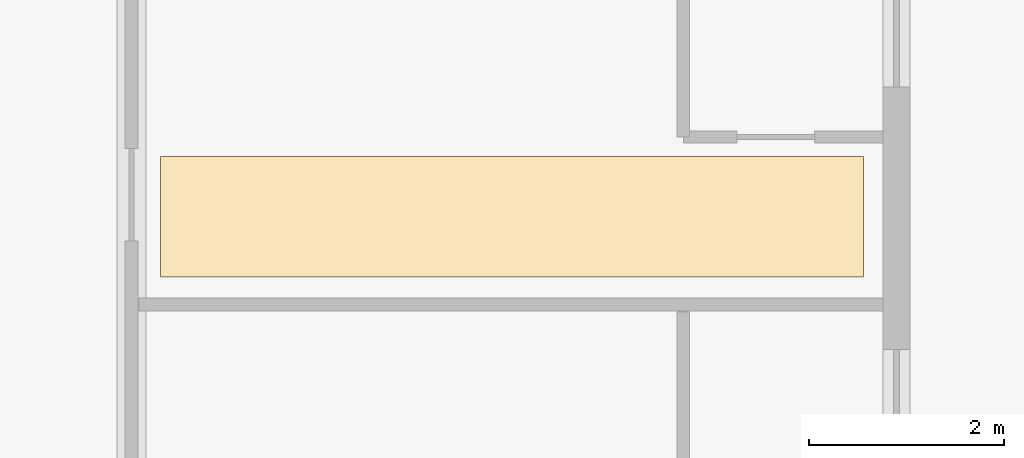
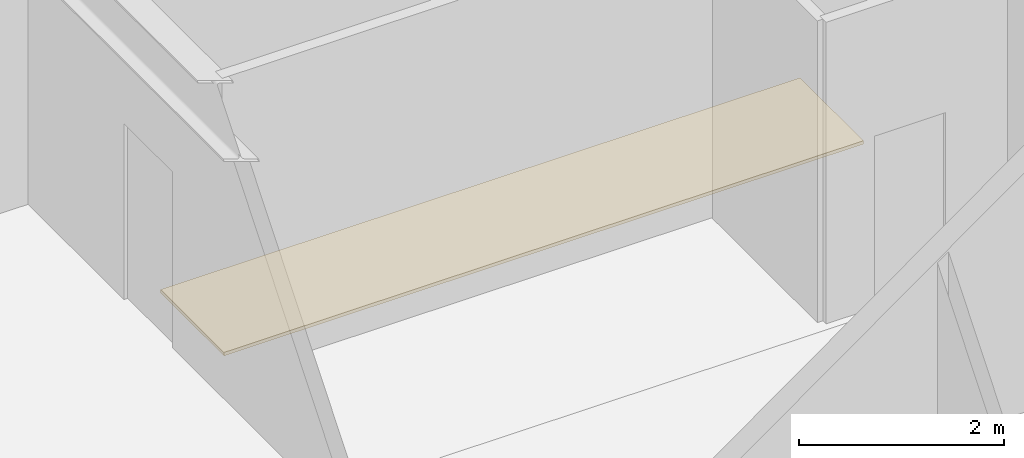
# One storey, part 12 of 13: 1 covering.
"""IFC4 building model written with IfcOpenShell, lengths in metres."""

import ifcopenshell
import ifcopenshell.guid

model = None  # the IFC model being written
_history = None  # IfcOwnerHistory: only IFC2X3 demands one
_inside = {}  # id of a spatial element -> (the spatial element, [elements in it])
_under = {}  # id of a project, library or spatial element -> (it, [spatial elements below it])
_declared = {}  # id of a project -> (the project, [libraries it declares])
_typed = {}  # id of a type object -> (the type object, [elements of that type])
_made_of = {}  # id of a material, layer set ... -> (it, [elements and type objects made of it])


def new_model(schema):
    """Start an empty IFC model of exactly this schema.

    Asked for "IFC4X3", IfcOpenShell would pick the latest addendum, in which some entities
    have other attributes; the version numbers below select the first issue.
    IFC2X3 requires an IfcOwnerHistory on every rooted entity: one is made here for all.
    """
    global model, _history
    if schema == "IFC4X3":
        model = ifcopenshell.file(schema_version=(4, 3, 0, 0))
    else:
        model = ifcopenshell.file(schema=schema)
    _inside.clear()
    _under.clear()
    _declared.clear()
    _typed.clear()
    _made_of.clear()
    _history = None
    if model.schema == "IFC2X3":
        org = make("IfcOrganization", Name="unknown")
        user = make(
            "IfcPersonAndOrganization",
            ThePerson=make("IfcPerson", FamilyName="unknown"),
            TheOrganization=org,
        )
        app = make(
            "IfcApplication",
            ApplicationDeveloper=org,
            Version="unknown",
            ApplicationFullName="unknown",
            ApplicationIdentifier="unknown",
        )
        _history = make(
            "IfcOwnerHistory",
            OwningUser=user,
            OwningApplication=app,
            ChangeAction="ADDED",
            CreationDate=0,
        )
    return model


def make(cls, **values):
    """One entity of the class cls with the attributes given. An attribute that is None is left unset."""
    return model.create_entity(
        cls, **{name: value for name, value in values.items() if value is not None}
    )


def rooted(cls, **values):
    """An entity with a GlobalId (a new one), such as an element, a storey or a relation."""
    return make(cls, GlobalId=ifcopenshell.guid.new(), OwnerHistory=_history, **values)


def si_unit(unit_type, name, prefix=None):
    """IfcSIUnit, for example si_unit("LENGTHUNIT", "METRE", prefix="MILLI")."""
    return make("IfcSIUnit", UnitType=unit_type, Prefix=prefix, Name=name)


def assignment(units):
    """IfcUnitAssignment: the units of a project."""
    return None if units is None else make("IfcUnitAssignment", Units=units)


def point(xyz):
    """IfcCartesianPoint."""
    return None if xyz is None else make("IfcCartesianPoint", Coordinates=xyz)


def direction(xyz):
    """IfcDirection."""
    return None if xyz is None else make("IfcDirection", DirectionRatios=xyz)


def frame(location, z_axis=None, x_axis=None):
    """IfcAxis2Placement3D, a coordinate frame: its origin and axes. An axis left out is left unset."""
    return make(
        "IfcAxis2Placement3D",
        Location=point(location),
        Axis=direction(z_axis),
        RefDirection=direction(x_axis),
    )


def origin():
    """The frame at (0, 0, 0) with its axes left unset."""
    return frame((0.0, 0.0, 0.0))


def place(relative_to, where):
    """IfcLocalPlacement: puts the frame where relative to a parent placement (None: the world)."""
    return make(
        "IfcLocalPlacement", PlacementRelTo=relative_to, RelativePlacement=where
    )


def context(
    kind, dimensions, precision=None, world=None, true_north=None, identifier=None
):
    """IfcGeometricRepresentationContext, for example the 3D "Model" context."""
    return make(
        "IfcGeometricRepresentationContext",
        ContextIdentifier=identifier,
        ContextType=kind,
        CoordinateSpaceDimension=dimensions,
        Precision=precision,
        WorldCoordinateSystem=world,
        TrueNorth=true_north,
    )


def subcontext(parent, identifier, kind, view, scale=None):
    """IfcGeometricRepresentationSubContext, for example "Body" below "Model"."""
    return make(
        "IfcGeometricRepresentationSubContext",
        ContextIdentifier=identifier,
        ContextType=kind,
        ParentContext=parent,
        TargetScale=scale,
        TargetView=view,
    )


def project(units=None, contexts=None):
    """IfcProject with its units and contexts."""
    return rooted(
        "IfcProject",
        Name="project",
        RepresentationContexts=contexts,
        UnitsInContext=assignment(units),
    )


def spatial(cls, under=None, at=None, **own):
    """A site, building, storey or space (cls), placed at a placement, below another one or the project."""
    s = rooted(cls, ObjectPlacement=at, **own)
    if under is not None:
        _under.setdefault(under.id(), (under, []))[1].append(s)
    return s


def polyline(points):
    """IfcPolyline through the points."""
    return make("IfcPolyline", Points=[point(p) for p in points])


def outline(outer, holes=None, kind="AREA"):
    """IfcArbitraryClosedProfileDef: a profile drawn as a closed curve; with holes, ...WithVoids."""
    if holes is None:
        return make("IfcArbitraryClosedProfileDef", ProfileType=kind, OuterCurve=outer)
    return make(
        "IfcArbitraryProfileDefWithVoids",
        ProfileType=kind,
        OuterCurve=outer,
        InnerCurves=holes,
    )


def extrude(swept, where, along, depth):
    """IfcExtrudedAreaSolid: the profile swept, set in the frame where, extruded along a direction by depth."""
    return make(
        "IfcExtrudedAreaSolid",
        SweptArea=swept,
        Position=where,
        ExtrudedDirection=direction(along),
        Depth=depth,
    )


def shape(context_of_items, identifier, shape_type, items):
    """IfcShapeRepresentation: the items that make up one representation, for example the "Body"."""
    return make(
        "IfcShapeRepresentation",
        ContextOfItems=context_of_items,
        RepresentationIdentifier=identifier,
        RepresentationType=shape_type,
        Items=items,
    )


def material(Name=None, Category=None):
    """IfcMaterial."""
    return make("IfcMaterial", Name=Name, Category=Category)


def layer(
    of_material, thickness, ventilated=None, Name=None, Category=None, Priority=None
):
    """IfcMaterialLayer: one layer of a wall or slab, of a material (None: an air gap)."""
    return make(
        "IfcMaterialLayer",
        Material=of_material,
        LayerThickness=thickness,
        IsVentilated=ventilated,
        Name=Name,
        Category=Category,
        Priority=Priority,
    )


def layer_set(layers, Name=None):
    """IfcMaterialLayerSet."""
    return make("IfcMaterialLayerSet", MaterialLayers=layers, LayerSetName=Name)


def made_of(thing, what):
    """Note that an element or type object is made of a material, layer set ...; save() writes the relation."""
    if what is not None:
        _made_of.setdefault(what.id(), (what, []))[1].append(thing)
    return thing


def type_object(cls, material=None, **own):
    """A type object (cls), such as IfcWallType, which elements share."""
    return made_of(rooted(cls, **own), material)


def element(
    cls,
    number,
    at=None,
    inside=None,
    cuts=None,
    type_object=None,
    material=None,
    context=None,
    identifier="Body",
    shape_type=None,
    held_by="IfcProductDefinitionShape",
    body=None,
    shapes=None,
    **own,
):
    """One element of the class cls, such as IfcWall. Its Tag is "e" and its number.

    at: its placement. inside: the storey or other place that contains it. cuts: it is an
    opening in that element (IfcRelVoidsElement). A single representation is given by context,
    identifier, shape_type and body (its items); several are given by shapes. held_by: the class
    of the entity that holds the representations. save() writes the other relations.
    """
    e = rooted(cls, Tag="e%d" % number, ObjectPlacement=at, **own)
    if body is not None:
        shapes = [shape(context, identifier, shape_type, body)]
    if shapes is not None:
        e.Representation = make(held_by, Representations=shapes)
    if inside is not None:
        _inside.setdefault(inside.id(), (inside, []))[1].append(e)
    if cuts is not None:
        rooted(
            "IfcRelVoidsElement", RelatingBuildingElement=cuts, RelatedOpeningElement=e
        )
    if type_object is not None:
        _typed.setdefault(type_object.id(), (type_object, []))[1].append(e)
    return made_of(e, material)


def aggregate(whole, parts):
    """IfcRelAggregates: a whole, such as a stair, and the parts it consists of."""
    return rooted("IfcRelAggregates", RelatingObject=whole, RelatedObjects=parts)


def save(model, path):
    """Write the relations noted so far, then the file.

    IfcRelAggregates (storeys below a building ...), IfcRelContainedInSpatialStructure (elements
    in a storey), IfcRelDefinesByType, IfcRelAssociatesMaterial and IfcRelDeclares: one each for
    every whole, place, type object, material and project.
    """
    for whole, parts in _under.values():
        aggregate(whole, parts)
    for where, things in _inside.values():
        rooted(
            "IfcRelContainedInSpatialStructure",
            RelatedElements=things,
            RelatingStructure=where,
        )
    for kind, things in _typed.values():
        rooted("IfcRelDefinesByType", RelatedObjects=things, RelatingType=kind)
    for what, things in _made_of.values():
        rooted("IfcRelAssociatesMaterial", RelatedObjects=things, RelatingMaterial=what)
    for by, libraries in _declared.values():
        rooted("IfcRelDeclares", RelatingContext=by, RelatedDefinitions=libraries)
    model.write(path)


model = new_model("IFC4")

# Units and contexts
model_context = context("Model", 3, precision=1e-05, world=origin(), true_north=direction((0.0, 1.0)))
body_context = subcontext(model_context, "Body", "Model", "MODEL_VIEW")
ifc_project = project(units=[si_unit("LENGTHUNIT", "METRE"), si_unit("AREAUNIT", "SQUARE_METRE"), si_unit("VOLUMEUNIT", "CUBIC_METRE"), si_unit("PLANEANGLEUNIT", "RADIAN"), si_unit("MASSUNIT", "GRAM", prefix="KILO")], contexts=[model_context])

# Site, building, storey
site_placement = place(None, origin())
site = spatial("IfcSite", under=ifc_project, at=site_placement, CompositionType="ELEMENT")
building_placement = place(site_placement, origin())
building = spatial("IfcBuilding", under=site, at=building_placement, Name="Kundavana Baori Tower", CompositionType="ELEMENT")
storey_placement = place(building_placement, frame((0.0, 0.0, 188.699951171875)))
storey = spatial("IfcBuildingStorey", under=building, at=storey_placement, Name="L46", CompositionType="ELEMENT", Elevation=188.699951171875)

# Covering
ifc_material = material(Name="Honed Kota Stone and Terrazzo Flooring", Category="masonry")
ifc_layer = layer(ifc_material, 0.0400390625, Name="COV-FLR-TERR-40")
ifc_layer_set = layer_set([ifc_layer], Name="Honed Kota Stone and Terrazzo Flooring")
covering_type = type_object("IfcCoveringType", Name="COV-FLR-TERR-40", PredefinedType="FLOORING", material=ifc_layer_set)
covering_placement = place(storey_placement, origin())
element("IfcCovering", 1, at=covering_placement, inside=storey, type_object=covering_type, Name="L46 Room Finished Stone Flooring 9", PredefinedType="FLOORING", context=body_context, shape_type="SweptSolid", body=[
    extrude(outline(polyline([(43.10009765625, 38.280029296875), (50.320068359375, 38.280029296875), (50.320068359375, 39.52001953125), (43.10009765625, 39.52001953125), (43.10009765625, 38.280029296875)])), origin(), (0.0, 0.0, 1.0), 0.0400390625),
])

save(model, "model.ifc")
